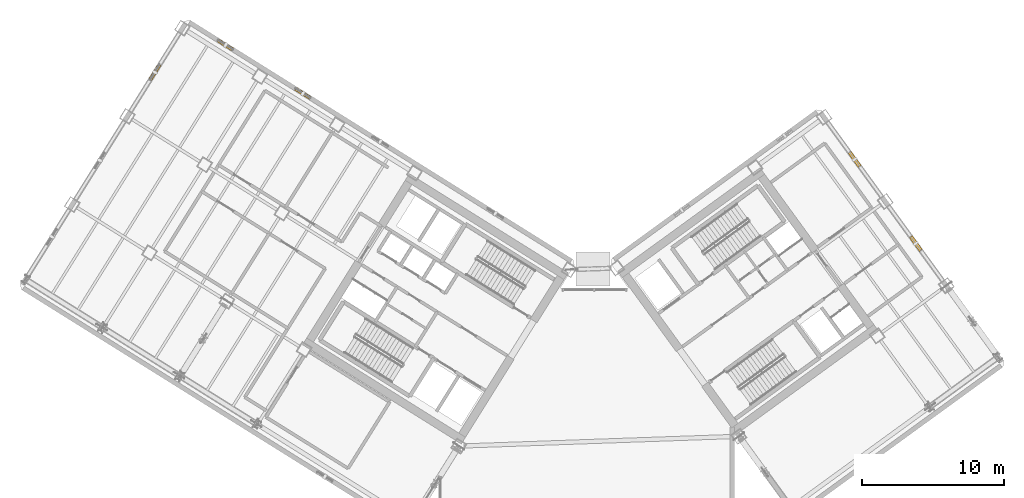
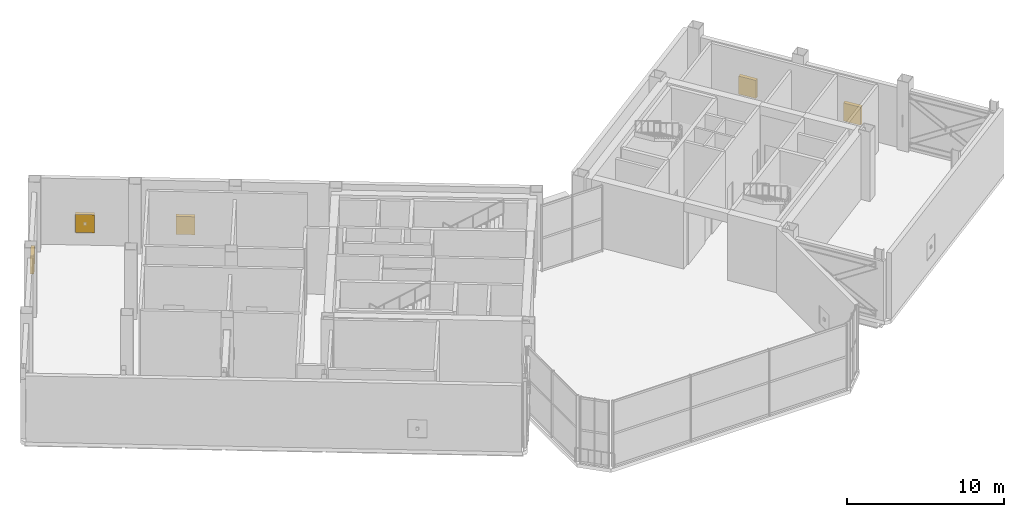
# One storey, part 30 of 30: 5 shading devices.
"""IFC4 building model written with IfcOpenShell, lengths in metres."""

from ifc_helpers import new_model, si_unit, direction, frame, origin, origin_2d, place, context, subcontext, project, spatial, rectangle, extrude, source, transform, mapped, material, type_object, element, save


model = new_model("IFC4")

# Units and contexts
model_context = context("Model", 3, precision=1e-05, world=origin(), true_north=direction((0.0, 1.0)))
body_context = subcontext(model_context, "Body", "Model", "MODEL_VIEW")
ifc_project = project(units=[si_unit("LENGTHUNIT", "METRE"), si_unit("AREAUNIT", "SQUARE_METRE"), si_unit("VOLUMEUNIT", "CUBIC_METRE"), si_unit("PLANEANGLEUNIT", "RADIAN"), si_unit("MASSUNIT", "GRAM", prefix="KILO")], contexts=[model_context])

# Site, building, storey
site_placement = place(None, origin())
site = spatial("IfcSite", under=ifc_project, at=site_placement, CompositionType="ELEMENT")
building_placement = place(site_placement, origin())
building = spatial("IfcBuilding", under=site, at=building_placement, Name="Tlacorven Tower", CompositionType="ELEMENT")
storey_placement = place(building_placement, frame((0.0, 0.0, 169.5)))
storey = spatial("IfcBuildingStorey", under=building, at=storey_placement, Name="L43", CompositionType="ELEMENT", Elevation=169.5)

# Shading devices
ifc_material = material(Name="Anodised bronze aluminium acoustic louvre", Category="aluminium")
shading_device_type = type_object("IfcShadingDeviceType", Name="SH-LVR-WND", PredefinedType="JALOUSIE", material=ifc_material)
shared_shape = source(origin(), body_context, "Body", "SweptSolid", [
    extrude(rectangle(XDim=1.2099609375, YDim=0.25, at=origin_2d()), origin(), (0.0, 0.0, 1.0), 1.39990234375),
])
for number, where, z_axis, x_axis, name in (
    (1, (11.711181640625, 38.330322265625, 0.949951171875), (0.0, 0.0, 1.0), (0.529918940959, 0.84804829816, 0.0), "L43 Storm-Resistant Acoustic Louvre Bank 2.3"),
    (2, (16.677001953125, 40.239013671875, 0.949951171875), (0.0, 0.0, 1.0), (0.84804812172, -0.529919223323, 0.0), "L43 Storm-Resistant Acoustic Louvre Bank 3.1"),
    (3, (22.1044921875, 36.847412109375, 0.949951171875), (0.0, 0.0, 1.0), (0.84804812172, -0.529919223323, 0.0), "L43 Storm-Resistant Acoustic Louvre Bank 3.2"),
    (4, (60.83154296875, 32.21240234375, 0.949951171875), (0.0, 0.0, 1.0), (0.587785363163, -0.809016913823, 0.0), "L43 Storm-Resistant Acoustic Louvre Bank 5.1"),
    (5, (65.122314453125, 26.306396484375, 0.949951171875), (0.0, 0.0, 1.0), (0.587785363163, -0.809016913823, 0.0), "L43 Storm-Resistant Acoustic Louvre Bank 5.2"),
):
    element("IfcShadingDevice", number, at=place(storey_placement, frame(where, z_axis=z_axis, x_axis=x_axis)), inside=storey, type_object=shading_device_type, Name=name, PredefinedType="JALOUSIE", context=body_context, shape_type="MappedRepresentation", body=[
        mapped(shared_shape, transform((0.0, 0.0, 0.0), scale=1.0)),
    ])

save(model, "model.ifc")
